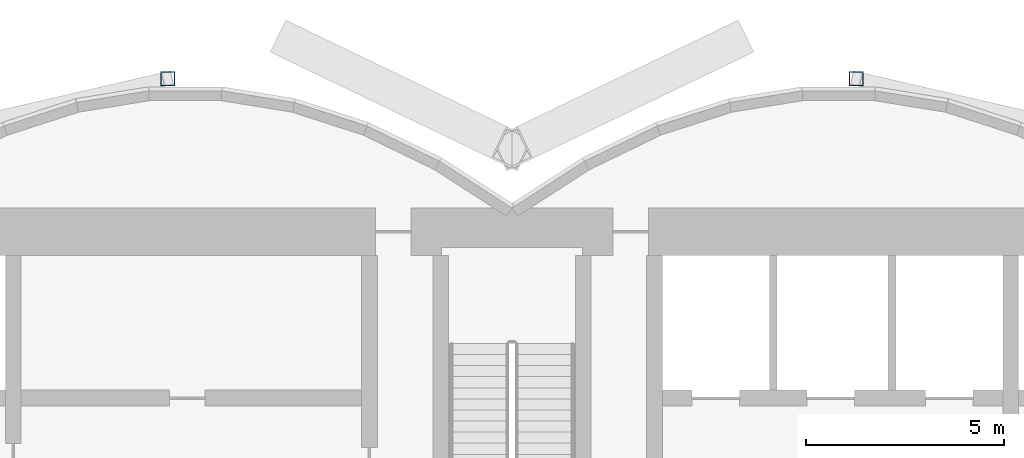
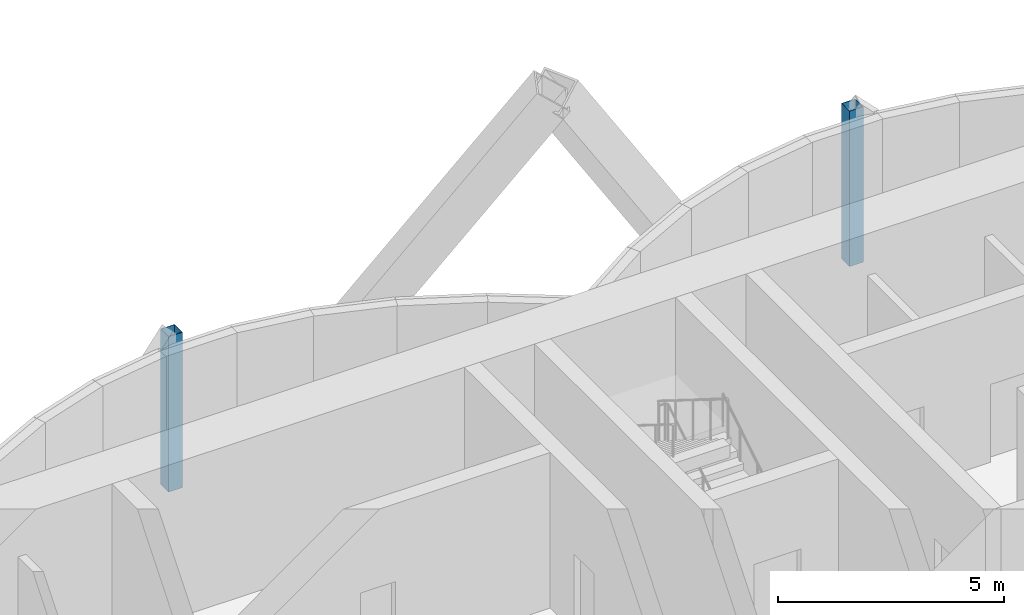
# One storey, part 3 of 19: 2 columns.
"""IFC4 building model written with IfcOpenShell, lengths in metres."""

import ifcopenshell
import ifcopenshell.guid

model = None  # the IFC model being written
_history = None  # IfcOwnerHistory: only IFC2X3 demands one
_inside = {}  # id of a spatial element -> (the spatial element, [elements in it])
_under = {}  # id of a project, library or spatial element -> (it, [spatial elements below it])
_declared = {}  # id of a project -> (the project, [libraries it declares])
_typed = {}  # id of a type object -> (the type object, [elements of that type])
_made_of = {}  # id of a material, layer set ... -> (it, [elements and type objects made of it])


def new_model(schema):
    """Start an empty IFC model of exactly this schema.

    Asked for "IFC4X3", IfcOpenShell would pick the latest addendum, in which some entities
    have other attributes; the version numbers below select the first issue.
    IFC2X3 requires an IfcOwnerHistory on every rooted entity: one is made here for all.
    """
    global model, _history
    if schema == "IFC4X3":
        model = ifcopenshell.file(schema_version=(4, 3, 0, 0))
    else:
        model = ifcopenshell.file(schema=schema)
    _inside.clear()
    _under.clear()
    _declared.clear()
    _typed.clear()
    _made_of.clear()
    _history = None
    if model.schema == "IFC2X3":
        org = make("IfcOrganization", Name="unknown")
        user = make(
            "IfcPersonAndOrganization",
            ThePerson=make("IfcPerson", FamilyName="unknown"),
            TheOrganization=org,
        )
        app = make(
            "IfcApplication",
            ApplicationDeveloper=org,
            Version="unknown",
            ApplicationFullName="unknown",
            ApplicationIdentifier="unknown",
        )
        _history = make(
            "IfcOwnerHistory",
            OwningUser=user,
            OwningApplication=app,
            ChangeAction="ADDED",
            CreationDate=0,
        )
    return model


def make(cls, **values):
    """One entity of the class cls with the attributes given. An attribute that is None is left unset."""
    return model.create_entity(
        cls, **{name: value for name, value in values.items() if value is not None}
    )


def rooted(cls, **values):
    """An entity with a GlobalId (a new one), such as an element, a storey or a relation."""
    return make(cls, GlobalId=ifcopenshell.guid.new(), OwnerHistory=_history, **values)


def si_unit(unit_type, name, prefix=None):
    """IfcSIUnit, for example si_unit("LENGTHUNIT", "METRE", prefix="MILLI")."""
    return make("IfcSIUnit", UnitType=unit_type, Prefix=prefix, Name=name)


def assignment(units):
    """IfcUnitAssignment: the units of a project."""
    return None if units is None else make("IfcUnitAssignment", Units=units)


def point(xyz):
    """IfcCartesianPoint."""
    return None if xyz is None else make("IfcCartesianPoint", Coordinates=xyz)


def direction(xyz):
    """IfcDirection."""
    return None if xyz is None else make("IfcDirection", DirectionRatios=xyz)


def frame(location, z_axis=None, x_axis=None):
    """IfcAxis2Placement3D, a coordinate frame: its origin and axes. An axis left out is left unset."""
    return make(
        "IfcAxis2Placement3D",
        Location=point(location),
        Axis=direction(z_axis),
        RefDirection=direction(x_axis),
    )


def frame_2d(location, x_axis=None):
    """IfcAxis2Placement2D, a coordinate frame in the plane: its origin and x axis."""
    return make(
        "IfcAxis2Placement2D", Location=point(location), RefDirection=direction(x_axis)
    )


def origin():
    """The frame at (0, 0, 0) with its axes left unset."""
    return frame((0.0, 0.0, 0.0))


def origin_2d():
    """The frame at (0, 0) in the plane with its x axis left unset."""
    return frame_2d((0.0, 0.0))


def place(relative_to, where):
    """IfcLocalPlacement: puts the frame where relative to a parent placement (None: the world)."""
    return make(
        "IfcLocalPlacement", PlacementRelTo=relative_to, RelativePlacement=where
    )


def context(
    kind, dimensions, precision=None, world=None, true_north=None, identifier=None
):
    """IfcGeometricRepresentationContext, for example the 3D "Model" context."""
    return make(
        "IfcGeometricRepresentationContext",
        ContextIdentifier=identifier,
        ContextType=kind,
        CoordinateSpaceDimension=dimensions,
        Precision=precision,
        WorldCoordinateSystem=world,
        TrueNorth=true_north,
    )


def subcontext(parent, identifier, kind, view, scale=None):
    """IfcGeometricRepresentationSubContext, for example "Body" below "Model"."""
    return make(
        "IfcGeometricRepresentationSubContext",
        ContextIdentifier=identifier,
        ContextType=kind,
        ParentContext=parent,
        TargetScale=scale,
        TargetView=view,
    )


def project(units=None, contexts=None):
    """IfcProject with its units and contexts."""
    return rooted(
        "IfcProject",
        Name="project",
        RepresentationContexts=contexts,
        UnitsInContext=assignment(units),
    )


def spatial(cls, under=None, at=None, **own):
    """A site, building, storey or space (cls), placed at a placement, below another one or the project."""
    s = rooted(cls, ObjectPlacement=at, **own)
    if under is not None:
        _under.setdefault(under.id(), (under, []))[1].append(s)
    return s


def profile(cls, at=None, kind="AREA", **sizes):
    """A parametric profile (cls). Its sizes go by their IFC names, for example OverallWidth=200.0."""
    return make(cls, ProfileType=kind, Position=at, **sizes)


def hollow_rectangle(**sizes):
    """IfcRectangleHollowProfileDef."""
    return profile("IfcRectangleHollowProfileDef", **sizes)


def extrude(swept, where, along, depth):
    """IfcExtrudedAreaSolid: the profile swept, set in the frame where, extruded along a direction by depth."""
    return make(
        "IfcExtrudedAreaSolid",
        SweptArea=swept,
        Position=where,
        ExtrudedDirection=direction(along),
        Depth=depth,
    )


def shape(context_of_items, identifier, shape_type, items):
    """IfcShapeRepresentation: the items that make up one representation, for example the "Body"."""
    return make(
        "IfcShapeRepresentation",
        ContextOfItems=context_of_items,
        RepresentationIdentifier=identifier,
        RepresentationType=shape_type,
        Items=items,
    )


def material(Name=None, Category=None):
    """IfcMaterial."""
    return make("IfcMaterial", Name=Name, Category=Category)


def material_profile(
    of_material, cross_section, Name=None, Category=None, Priority=None
):
    """IfcMaterialProfile: a cross section and its material."""
    return make(
        "IfcMaterialProfile",
        Name=Name,
        Material=of_material,
        Profile=cross_section,
        Priority=Priority,
        Category=Category,
    )


def profile_set(profiles, Name=None, composite=None):
    """IfcMaterialProfileSet."""
    return make(
        "IfcMaterialProfileSet",
        Name=Name,
        MaterialProfiles=profiles,
        CompositeProfile=composite,
    )


def made_of(thing, what):
    """Note that an element or type object is made of a material, layer set ...; save() writes the relation."""
    if what is not None:
        _made_of.setdefault(what.id(), (what, []))[1].append(thing)
    return thing


def type_object(cls, material=None, **own):
    """A type object (cls), such as IfcWallType, which elements share."""
    return made_of(rooted(cls, **own), material)


def element(
    cls,
    number,
    at=None,
    inside=None,
    cuts=None,
    type_object=None,
    material=None,
    context=None,
    identifier="Body",
    shape_type=None,
    held_by="IfcProductDefinitionShape",
    body=None,
    shapes=None,
    **own,
):
    """One element of the class cls, such as IfcWall. Its Tag is "e" and its number.

    at: its placement. inside: the storey or other place that contains it. cuts: it is an
    opening in that element (IfcRelVoidsElement). A single representation is given by context,
    identifier, shape_type and body (its items); several are given by shapes. held_by: the class
    of the entity that holds the representations. save() writes the other relations.
    """
    e = rooted(cls, Tag="e%d" % number, ObjectPlacement=at, **own)
    if body is not None:
        shapes = [shape(context, identifier, shape_type, body)]
    if shapes is not None:
        e.Representation = make(held_by, Representations=shapes)
    if inside is not None:
        _inside.setdefault(inside.id(), (inside, []))[1].append(e)
    if cuts is not None:
        rooted(
            "IfcRelVoidsElement", RelatingBuildingElement=cuts, RelatedOpeningElement=e
        )
    if type_object is not None:
        _typed.setdefault(type_object.id(), (type_object, []))[1].append(e)
    return made_of(e, material)


def aggregate(whole, parts):
    """IfcRelAggregates: a whole, such as a stair, and the parts it consists of."""
    return rooted("IfcRelAggregates", RelatingObject=whole, RelatedObjects=parts)


def save(model, path):
    """Write the relations noted so far, then the file.

    IfcRelAggregates (storeys below a building ...), IfcRelContainedInSpatialStructure (elements
    in a storey), IfcRelDefinesByType, IfcRelAssociatesMaterial and IfcRelDeclares: one each for
    every whole, place, type object, material and project.
    """
    for whole, parts in _under.values():
        aggregate(whole, parts)
    for where, things in _inside.values():
        rooted(
            "IfcRelContainedInSpatialStructure",
            RelatedElements=things,
            RelatingStructure=where,
        )
    for kind, things in _typed.values():
        rooted("IfcRelDefinesByType", RelatedObjects=things, RelatingType=kind)
    for what, things in _made_of.values():
        rooted("IfcRelAssociatesMaterial", RelatedObjects=things, RelatingMaterial=what)
    for by, libraries in _declared.values():
        rooted("IfcRelDeclares", RelatingContext=by, RelatedDefinitions=libraries)
    model.write(path)


model = new_model("IFC4")

# Units and contexts
model_context = context("Model", 3, precision=1e-05, world=origin(), true_north=direction((0.0, 1.0)))
body_context = subcontext(model_context, "Body", "Model", "MODEL_VIEW")
ifc_project = project(units=[si_unit("LENGTHUNIT", "METRE"), si_unit("AREAUNIT", "SQUARE_METRE"), si_unit("VOLUMEUNIT", "CUBIC_METRE"), si_unit("PLANEANGLEUNIT", "RADIAN"), si_unit("MASSUNIT", "GRAM", prefix="KILO")], contexts=[model_context])

# Site, building, storey
site_placement = place(None, origin())
site = spatial("IfcSite", under=ifc_project, at=site_placement, CompositionType="ELEMENT")
building_placement = place(site_placement, origin())
building = spatial("IfcBuilding", under=site, at=building_placement, Name="Bicima Exchange Tower", CompositionType="ELEMENT")
storey_placement = place(building_placement, frame((0.0, 0.0, 283.39990234375)))
storey = spatial("IfcBuildingStorey", under=building, at=storey_placement, Name="L64", CompositionType="ELEMENT", Elevation=283.39990234375)

# Columns
ifc_material = material(Name="Steel ASTM A572 Gr 50", Category="steel")
ifc_material_profile = material_profile(ifc_material, hollow_rectangle(XDim=0.355712890625, YDim=0.355712890625, WallThickness=0.01171875, at=origin_2d()))
ifc_profile_set = profile_set([ifc_material_profile], Name="Steel ASTM A572 Gr 50")
column_type = type_object("IfcColumnType", Name="Rear pilaster HSS14x14x1/2", PredefinedType="COLUMN", material=ifc_profile_set)
for number, where, z_axis, x_axis, name in (
    (1, (-8.699951171875, 3.26904296875, 0.0), (0.0, 0.0, 1.0), (1.0, 0.0, 0.0), "Rear pilaster rexo-8.7r"),
    (2, (8.699951171875, 3.26904296875, 0.0), (0.0, 0.0, 1.0), (1.0, 0.0, 0.0), "Rear pilaster rexo+8.7r"),
):
    element("IfcColumn", number, at=place(storey_placement, frame(where, z_axis=z_axis, x_axis=x_axis)), inside=storey, type_object=column_type, Name=name, PredefinedType="COLUMN", context=body_context, shape_type="SweptSolid", body=[
        extrude(hollow_rectangle(XDim=0.355712890625, YDim=0.355712890625, WallThickness=0.01171875, at=origin_2d()), origin(), (0.0, 0.0, 1.0), 4.2001953125),
    ])

save(model, "model.ifc")
